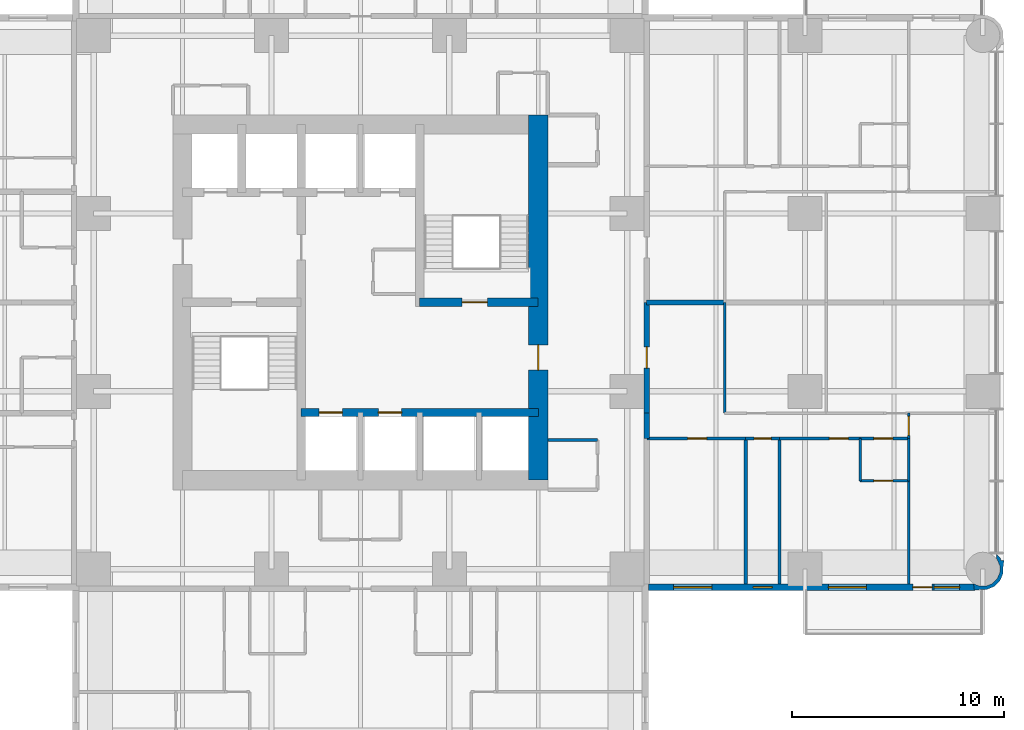
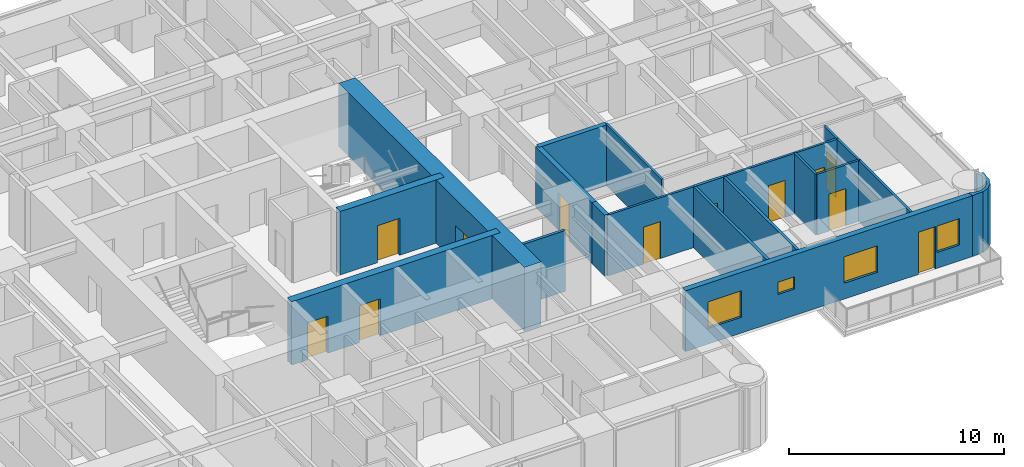
# One storey, part 9 of 14: 21 walls, 12 doors, 4 windows, 16 openings.
"""IFC4 building model written with IfcOpenShell, lengths in metres."""

from ifc_helpers import new_model, si_unit, direction, frame, frame_2d, origin, place, context, subcontext, project, spatial, polyline, rectangle, outline, extrude, material, layer, layer_set, type_object, element, fill, save


model = new_model("IFC4")

# Units and contexts
model_context = context("Model", 3, precision=1e-05, world=origin(), true_north=direction((0.0, 1.0)))
body_context = subcontext(model_context, "Body", "Model", "MODEL_VIEW")
ifc_project = project(units=[si_unit("LENGTHUNIT", "METRE"), si_unit("AREAUNIT", "SQUARE_METRE"), si_unit("VOLUMEUNIT", "CUBIC_METRE"), si_unit("PLANEANGLEUNIT", "RADIAN"), si_unit("MASSUNIT", "GRAM", prefix="KILO")], contexts=[model_context])

# Site, building, storey
site_placement = place(None, origin())
site = spatial("IfcSite", under=ifc_project, at=site_placement, CompositionType="ELEMENT")
building_placement = place(site_placement, origin())
building = spatial("IfcBuilding", under=site, at=building_placement, Name="Torre Alcanfor", CompositionType="ELEMENT")
storey_placement = place(building_placement, frame((0.0, 0.0, 137.699951171875)))
storey = spatial("IfcBuildingStorey", under=building, at=storey_placement, Name="L35", CompositionType="ELEMENT", Elevation=137.699951171875)

# Wall, opening, door
ifc_material_1 = material(Name="Concrete block masonry, hollow blocks NMX-C-404 9 MPa", Category="masonry")
ifc_layer_1 = layer(ifc_material_1, 0.25)
ifc_layer_set_1 = layer_set([ifc_layer_1], Name="Apartment entrance wall 250 EI 60")
wall_type_1 = type_object("IfcWallType", Name="Apartment entrance wall 250 EI 60", PredefinedType="PARTITIONING", material=ifc_layer_set_1)
wall_1_placement = place(storey_placement, frame((42.925048828125, 29.39990234375, 0.0), z_axis=(0.0, 0.0, 1.0), x_axis=(0.0, -1.0, 0.0)))
wall_1 = element("IfcWall", 1, at=wall_1_placement, inside=storey, type_object=wall_type_1, Name="Partition L35-CORR / L35-E2-ZAG", PredefinedType="PARTITIONING", context=body_context, shape_type="SweptSolid", body=[
    extrude(rectangle(XDim=5.22900390625, YDim=0.25, at=frame_2d((2.614501953125, 0.0))), origin(), (0.0, 0.0, 1.0), 3.449951171875),
])
opening_1_placement = place(wall_1_placement, frame((2.10009765625, 0.0, 0.0)))
opening_1 = element("IfcOpeningElement", 2, at=opening_1_placement, cuts=wall_1, Name="Opening D-A1", PredefinedType="OPENING", context=body_context, shape_type="SweptSolid", body=[
    extrude(rectangle(XDim=1.0, YDim=2.10009765625, at=frame_2d((0.5, 1.050048828125))), frame((0.0, 0.135009765625, 0.0), z_axis=(0.0, -1.0, 0.0), x_axis=(1.0, 0.0, 0.0)), (0.0, 0.0, 1.0), 0.27001953125),
])
ifc_material_2 = material(Name="Galvanised steel sheet ASTM A653", Category="steel")
door_type_1 = type_object("IfcDoorType", Name="Apartment entrance door FD60 1000x2100", OperationType="SINGLE_SWING_LEFT", PredefinedType="DOOR", material=ifc_material_2)
door_1_placement = place(opening_1_placement, origin())
door_1 = element("IfcDoor", 3, at=door_1_placement, inside=storey, type_object=door_type_1, Name="Apartment entrance L35-E2", OperationType="SINGLE_SWING_LEFT", OverallHeight=2.10009765625, OverallWidth=1.0, PredefinedType="DOOR", context=body_context, shape_type="SweptSolid", body=[
    extrude(rectangle(XDim=1.0, YDim=2.10009765625, at=frame_2d((0.5, 1.050048828125))), frame((0.0, 0.02490234375, 0.0), z_axis=(0.0, -1.0, 0.0), x_axis=(1.0, 0.0, 0.0)), (0.0, 0.0, 1.0), 0.050048828125),
])
fill(opening_1, door_1)

# Walls
wall_2_placement = place(storey_placement, frame((42.925048828125, 24.1708984375, 0.0), z_axis=(0.0, 0.0, 1.0), x_axis=(0.0, -1.0, 0.0)))
element("IfcWall", 4, at=wall_2_placement, inside=storey, type_object=wall_type_1, Name="Partition L35-CORR / L35-E2-HALL", PredefinedType="PARTITIONING", context=body_context, shape_type="SweptSolid", body=[
    extrude(rectangle(XDim=1.199951171875, YDim=0.25, at=frame_2d((0.60009765625, 0.0))), origin(), (0.0, 0.0, 1.0), 3.449951171875),
])
ifc_material_3 = material(Name="Gypsum board on steel studs", Category="steel")
ifc_layer_2 = layer(ifc_material_3, 0.1201171875)
ifc_layer_set_2 = layer_set([ifc_layer_2], Name="Apartment partition 120")
wall_type_2 = type_object("IfcWallType", Name="Apartment partition 120", PredefinedType="PARTITIONING", material=ifc_layer_set_2)
wall_3_placement = place(storey_placement, frame((46.60009765625, 29.39990234375, 0.0), z_axis=(0.0, 0.0, 1.0), x_axis=(0.0, -1.0, 0.0)))
element("IfcWall", 5, at=wall_3_placement, inside=storey, type_object=wall_type_2, Name="Partition L35-E2-ZAG / L35-E2-FAMILY", PredefinedType="PARTITIONING", context=body_context, shape_type="SweptSolid", body=[
    extrude(rectangle(XDim=5.22900390625, YDim=0.1201171875, at=frame_2d((2.614501953125, 0.0))), origin(), (0.0, 0.0, 1.0), 3.449951171875),
])

# Wall, opening, door
wall_4_placement = place(storey_placement, frame((47.60009765625, 22.970947265625, 0.0), z_axis=(0.0, 0.0, 1.0), x_axis=(-1.0, 0.0, 0.0)))
wall_4 = element("IfcWall", 6, at=wall_4_placement, inside=storey, type_object=wall_type_2, Name="Partition L35-E2-HALL / L35-E2-BED2", PredefinedType="PARTITIONING", context=body_context, shape_type="SweptSolid", body=[
    extrude(rectangle(XDim=4.675048828125, YDim=0.1201171875, at=frame_2d((2.33740234375, 0.0))), origin(), (0.0, 0.0, 1.0), 3.449951171875),
])
opening_2_placement = place(wall_4_placement, frame((1.85009765625, 0.0, 0.0)))
opening_2 = element("IfcOpeningElement", 7, at=opening_2_placement, cuts=wall_4, Name="Opening D-R1", PredefinedType="OPENING", context=body_context, shape_type="SweptSolid", body=[
    extrude(rectangle(XDim=0.89990234375, YDim=2.10009765625, at=frame_2d((0.449951171875, 1.050048828125))), frame((0.0, 0.070068359375, 0.0), z_axis=(0.0, -1.0, 0.0), x_axis=(1.0, 0.0, 0.0)), (0.0, 0.0, 1.0), 0.14013671875),
])
ifc_material_4 = material(Name="Timber", Category="wood")
door_type_2 = type_object("IfcDoorType", Name="Internal door 900x2100", OperationType="SINGLE_SWING_LEFT", PredefinedType="DOOR", material=ifc_material_4)
door_2_placement = place(opening_2_placement, origin())
door_2 = element("IfcDoor", 8, at=door_2_placement, inside=storey, type_object=door_type_2, Name="Door L35-E2 bed2", OperationType="SINGLE_SWING_LEFT", OverallHeight=2.10009765625, OverallWidth=0.89990234375, PredefinedType="DOOR", context=body_context, shape_type="SweptSolid", body=[
    extrude(rectangle(XDim=0.89990234375, YDim=2.10009765625, at=frame_2d((0.449951171875, 1.050048828125))), frame((0.0, 0.02490234375, 0.0), z_axis=(0.0, -1.0, 0.0), x_axis=(1.0, 0.0, 0.0)), (0.0, 0.0, 1.0), 0.050048828125),
])
fill(opening_2, door_2)

wall_5_placement = place(storey_placement, frame((53.0, 22.970947265625, 0.0), z_axis=(0.0, 0.0, 1.0), x_axis=(-1.0, 0.0, 0.0)))
wall_5 = element("IfcWall", 9, at=wall_5_placement, inside=storey, type_object=wall_type_2, Name="Partition L35-E2-HALL / L35-E2-MASTER", PredefinedType="PARTITIONING", context=body_context, shape_type="SweptSolid", body=[
    extrude(rectangle(XDim=3.800048828125, YDim=0.1201171875, at=frame_2d((1.89990234375, 0.0))), origin(), (0.0, 0.0, 1.0), 3.449951171875),
])
opening_3_placement = place(wall_5_placement, frame((0.550048828125, 0.0, 0.0)))
opening_3 = element("IfcOpeningElement", 10, at=opening_3_placement, cuts=wall_5, Name="Opening D-R1", PredefinedType="OPENING", context=body_context, shape_type="SweptSolid", body=[
    extrude(rectangle(XDim=0.89990234375, YDim=2.10009765625, at=frame_2d((0.449951171875, 1.050048828125))), frame((0.0, 0.070068359375, 0.0), z_axis=(0.0, -1.0, 0.0), x_axis=(1.0, 0.0, 0.0)), (0.0, 0.0, 1.0), 0.14013671875),
])
door_3_placement = place(opening_3_placement, origin())
door_3 = element("IfcDoor", 11, at=door_3_placement, inside=storey, type_object=door_type_2, Name="Door L35-E2 master", OperationType="SINGLE_SWING_LEFT", OverallHeight=2.10009765625, OverallWidth=0.89990234375, PredefinedType="DOOR", context=body_context, shape_type="SweptSolid", body=[
    extrude(rectangle(XDim=0.89990234375, YDim=2.10009765625, at=frame_2d((0.449951171875, 1.050048828125))), frame((0.0, 0.02490234375, 0.0), z_axis=(0.0, -1.0, 0.0), x_axis=(1.0, 0.0, 0.0)), (0.0, 0.0, 1.0), 0.050048828125),
])
fill(opening_3, door_3)

wall_6_placement = place(storey_placement, frame((55.300048828125, 22.970947265625, 0.0), z_axis=(0.0, 0.0, 1.0), x_axis=(-1.0, 0.0, 0.0)))
wall_6 = element("IfcWall", 12, at=wall_6_placement, inside=storey, type_object=wall_type_2, Name="Partition L35-E2-HALL / L35-E2-VEST", PredefinedType="PARTITIONING", context=body_context, shape_type="SweptSolid", body=[
    extrude(rectangle(XDim=2.300048828125, YDim=0.1201171875, at=frame_2d((1.14990234375, 0.0))), origin(), (0.0, 0.0, 1.0), 3.449951171875),
])
opening_4_placement = place(wall_6_placement, frame((0.75, 0.0, 0.0)))
opening_4 = element("IfcOpeningElement", 13, at=opening_4_placement, cuts=wall_6, Name="Opening D-R1", PredefinedType="OPENING", context=body_context, shape_type="SweptSolid", body=[
    extrude(rectangle(XDim=0.89990234375, YDim=2.10009765625, at=frame_2d((0.449951171875, 1.050048828125))), frame((0.0, 0.070068359375, 0.0), z_axis=(0.0, -1.0, 0.0), x_axis=(1.0, 0.0, 0.0)), (0.0, 0.0, 1.0), 0.14013671875),
])
door_4_placement = place(opening_4_placement, origin())
door_4 = element("IfcDoor", 14, at=door_4_placement, inside=storey, type_object=door_type_2, Name="Door L35-E2 vest", OperationType="SINGLE_SWING_RIGHT", OverallHeight=2.10009765625, OverallWidth=0.89990234375, PredefinedType="DOOR", context=body_context, shape_type="SweptSolid", body=[
    extrude(rectangle(XDim=0.89990234375, YDim=2.10009765625, at=frame_2d((0.449951171875, 1.050048828125))), frame((0.0, 0.02490234375, 0.0), z_axis=(0.0, -1.0, 0.0), x_axis=(1.0, 0.0, 0.0)), (0.0, 0.0, 1.0), 0.050048828125),
])
fill(opening_4, door_4)

wall_7_placement = place(storey_placement, frame((55.300048828125, 24.1708984375, 0.0), z_axis=(0.0, 0.0, 1.0), x_axis=(0.0, -1.0, 0.0)))
wall_7 = element("IfcWall", 15, at=wall_7_placement, inside=storey, type_object=wall_type_2, Name="Partition L35-E2-HALL / L35-E2-WGARD", PredefinedType="PARTITIONING", context=body_context, shape_type="SweptSolid", body=[
    extrude(rectangle(XDim=1.199951171875, YDim=0.1201171875, at=frame_2d((0.60009765625, 0.0))), origin(), (0.0, 0.0, 1.0), 3.449951171875),
])
opening_5_placement = place(wall_7_placement, frame((0.15087890625, 0.0, 0.0)))
opening_5 = element("IfcOpeningElement", 16, at=opening_5_placement, cuts=wall_7, Name="Opening D-R1", PredefinedType="OPENING", context=body_context, shape_type="SweptSolid", body=[
    extrude(rectangle(XDim=0.89990234375, YDim=2.10009765625, at=frame_2d((0.449951171875, 1.050048828125))), frame((0.0, 0.070068359375, 0.0), z_axis=(0.0, -1.0, 0.0), x_axis=(1.0, 0.0, 0.0)), (0.0, 0.0, 1.0), 0.14013671875),
])
door_5_placement = place(opening_5_placement, origin())
door_5 = element("IfcDoor", 17, at=door_5_placement, inside=storey, type_object=door_type_2, Name="Door L35-E2 wgard", OperationType="SINGLE_SWING_LEFT", OverallHeight=2.10009765625, OverallWidth=0.89990234375, PredefinedType="DOOR", context=body_context, shape_type="SweptSolid", body=[
    extrude(rectangle(XDim=0.89990234375, YDim=2.10009765625, at=frame_2d((0.449951171875, 1.050048828125))), frame((0.0, 0.02490234375, 0.0), z_axis=(0.0, -1.0, 0.0), x_axis=(1.0, 0.0, 0.0)), (0.0, 0.0, 1.0), 0.050048828125),
])
fill(opening_5, door_5)

# Wall
wall_8_placement = place(storey_placement, frame((53.0, 22.970947265625, 0.0), z_axis=(0.0, 0.0, 1.0), x_axis=(0.0, -1.0, 0.0)))
element("IfcWall", 18, at=wall_8_placement, inside=storey, type_object=wall_type_2, Name="Partition L35-E2-MASTER / L35-E2-VEST", PredefinedType="PARTITIONING", context=body_context, shape_type="SweptSolid", body=[
    extrude(rectangle(XDim=2.0, YDim=0.1201171875, at=frame_2d((1.0, 0.0))), origin(), (0.0, 0.0, 1.0), 3.449951171875),
])

# Wall, opening, door
wall_9_placement = place(storey_placement, frame((53.0, 20.970947265625, 0.0), z_axis=(0.0, 0.0, 1.0), x_axis=(1.0, 0.0, 0.0)))
wall_9 = element("IfcWall", 19, at=wall_9_placement, inside=storey, type_object=wall_type_2, Name="Partition L35-E2-MASTER / L35-E2-VEST", PredefinedType="PARTITIONING", context=body_context, shape_type="SweptSolid", body=[
    extrude(rectangle(XDim=2.300048828125, YDim=0.1201171875, at=frame_2d((1.14990234375, 0.0))), origin(), (0.0, 0.0, 1.0), 3.449951171875),
])
opening_6_placement = place(wall_9_placement, frame((0.64990234375, 0.0, 0.0)))
opening_6 = element("IfcOpeningElement", 20, at=opening_6_placement, cuts=wall_9, Name="Opening D-R1", PredefinedType="OPENING", context=body_context, shape_type="SweptSolid", body=[
    extrude(rectangle(XDim=0.89990234375, YDim=2.10009765625, at=frame_2d((0.449951171875, 1.050048828125))), frame((0.0, 0.070068359375, 0.0), z_axis=(0.0, -1.0, 0.0), x_axis=(1.0, 0.0, 0.0)), (0.0, 0.0, 1.0), 0.14013671875),
])
door_6_placement = place(opening_6_placement, origin())
door_6 = element("IfcDoor", 21, at=door_6_placement, inside=storey, type_object=door_type_2, Name="Door L35-E2 master", OperationType="SINGLE_SWING_LEFT", OverallHeight=2.10009765625, OverallWidth=0.89990234375, PredefinedType="DOOR", context=body_context, shape_type="SweptSolid", body=[
    extrude(rectangle(XDim=0.89990234375, YDim=2.10009765625, at=frame_2d((0.449951171875, 1.050048828125))), frame((0.0, 0.02490234375, 0.0), z_axis=(0.0, -1.0, 0.0), x_axis=(1.0, 0.0, 0.0)), (0.0, 0.0, 1.0), 0.050048828125),
])
fill(opening_6, door_6)

# Walls
wall_10_placement = place(storey_placement, frame((55.300048828125, 20.970947265625, 0.0), z_axis=(0.0, 0.0, 1.0), x_axis=(0.0, -1.0, 0.0)))
element("IfcWall", 22, at=wall_10_placement, inside=storey, type_object=wall_type_2, Name="Partition L35-E2-MASTER / L35-E2-WGARD", PredefinedType="PARTITIONING", context=body_context, shape_type="SweptSolid", body=[
    extrude(rectangle(XDim=4.870849609375, YDim=0.1201171875, at=frame_2d((2.435546875, 0.0))), origin(), (0.0, 0.0, 1.0), 3.449951171875),
])
wall_11_placement = place(storey_placement, frame((55.300048828125, 22.970947265625, 0.0), z_axis=(0.0, 0.0, 1.0), x_axis=(0.0, -1.0, 0.0)))
element("IfcWall", 23, at=wall_11_placement, inside=storey, type_object=wall_type_2, Name="Partition L35-E2-VEST / L35-E2-WGARD", PredefinedType="PARTITIONING", context=body_context, shape_type="SweptSolid", body=[
    extrude(rectangle(XDim=2.0, YDim=0.1201171875, at=frame_2d((1.0, 0.0))), origin(), (0.0, 0.0, 1.0), 3.449951171875),
])

# Wall, openings, doors
ifc_material_5 = material(Name="Concrete f'c 70 MPa", Category="concrete")
ifc_layer_3 = layer(ifc_material_5, 0.39990234375)
ifc_layer_set_3 = layer_set([ifc_layer_3], Name="Core inner wall 400 f'c70")
wall_type_3 = type_object("IfcWallType", Name="Core inner wall 400 f'c70", PredefinedType="SHEAR", material=ifc_layer_set_3)
wall_12_placement = place(storey_placement, frame((26.60009765625, 24.199951171875, 0.0), z_axis=(0.0, 0.0, 1.0), x_axis=(1.0, 0.0, 0.0)))
wall_12 = element("IfcWall", 24, at=wall_12_placement, inside=storey, type_object=wall_type_3, Name="Core wall Y242 L35", PredefinedType="SHEAR", context=body_context, shape_type="SweptSolid", body=[
    extrude(rectangle(XDim=11.199951171875, YDim=0.39990234375, at=frame_2d((5.60009765625, 0.0))), origin(), (0.0, 0.0, 1.0), 3.60009765625),
])
opening_7_placement = place(wall_12_placement, frame((0.85009765625, 0.0, 0.0)))
opening_7 = element("IfcOpeningElement", 25, at=opening_7_placement, cuts=wall_12, Name="Opening LD1", PredefinedType="OPENING", context=body_context, shape_type="SweptSolid", body=[
    extrude(rectangle(XDim=1.10009765625, YDim=2.10009765625, at=frame_2d((0.550048828125, 1.050048828125))), frame((0.0, 0.2099609375, 0.0), z_axis=(0.0, -1.0, 0.0), x_axis=(1.0, 0.0, 0.0)), (0.0, 0.0, 1.0), 0.419921875),
])
opening_8_placement = place(wall_12_placement, frame((3.64990234375, 0.0, 0.0)))
opening_8 = element("IfcOpeningElement", 26, at=opening_8_placement, cuts=wall_12, Name="Opening LD1", PredefinedType="OPENING", context=body_context, shape_type="SweptSolid", body=[
    extrude(rectangle(XDim=1.10009765625, YDim=2.10009765625, at=frame_2d((0.550048828125, 1.050048828125))), frame((0.0, 0.2099609375, 0.0), z_axis=(0.0, -1.0, 0.0), x_axis=(1.0, 0.0, 0.0)), (0.0, 0.0, 1.0), 0.419921875),
])
ifc_material_6 = material(Name="Galvanised steel sheet ASTM A653", Category="steel")
door_type_3 = type_object("IfcDoorType", Name="Lift landing door 1100x2100", OperationType="DOUBLE_DOOR_SLIDING", PredefinedType="DOOR", material=ifc_material_6)
door_7_placement = place(opening_7_placement, origin())
door_7 = element("IfcDoor", 27, at=door_7_placement, inside=storey, type_object=door_type_3, Name="Lift landing door PA1 L35", OperationType="DOUBLE_DOOR_SLIDING", OverallHeight=2.10009765625, OverallWidth=1.10009765625, PredefinedType="DOOR", context=body_context, shape_type="SweptSolid", body=[
    extrude(rectangle(XDim=1.10009765625, YDim=2.10009765625, at=frame_2d((0.550048828125, 1.050048828125))), frame((0.0, 0.02490234375, 0.0), z_axis=(0.0, -1.0, 0.0), x_axis=(1.0, 0.0, 0.0)), (0.0, 0.0, 1.0), 0.050048828125),
])
fill(opening_7, door_7)
door_8_placement = place(opening_8_placement, origin())
door_8 = element("IfcDoor", 28, at=door_8_placement, inside=storey, type_object=door_type_3, Name="Lift landing door PA2 L35", OperationType="DOUBLE_DOOR_SLIDING", OverallHeight=2.10009765625, OverallWidth=1.10009765625, PredefinedType="DOOR", context=body_context, shape_type="SweptSolid", body=[
    extrude(rectangle(XDim=1.10009765625, YDim=2.10009765625, at=frame_2d((0.550048828125, 1.050048828125))), frame((0.0, 0.02490234375, 0.0), z_axis=(0.0, -1.0, 0.0), x_axis=(1.0, 0.0, 0.0)), (0.0, 0.0, 1.0), 0.050048828125),
])
fill(opening_8, door_8)

# Wall, opening, door
wall_13_placement = place(storey_placement, frame((32.199951171875, 29.39990234375, 0.0), z_axis=(0.0, 0.0, 1.0), x_axis=(1.0, 0.0, 0.0)))
wall_13 = element("IfcWall", 29, at=wall_13_placement, inside=storey, type_object=wall_type_3, Name="Core wall Y294E L35", PredefinedType="SHEAR", context=body_context, shape_type="SweptSolid", body=[
    extrude(rectangle(XDim=5.60009765625, YDim=0.39990234375, at=frame_2d((2.800048828125, 0.0))), origin(), (0.0, 0.0, 1.0), 3.60009765625),
])
opening_9_placement = place(wall_13_placement, frame((2.0, 0.0, 0.0)))
opening_9 = element("IfcOpeningElement", 30, at=opening_9_placement, cuts=wall_13, Name="Opening D-S2", PredefinedType="OPENING", context=body_context, shape_type="SweptSolid", body=[
    extrude(rectangle(XDim=1.199951171875, YDim=2.10009765625, at=frame_2d((0.60009765625, 1.050048828125))), frame((0.0, 0.2099609375, 0.0), z_axis=(0.0, -1.0, 0.0), x_axis=(1.0, 0.0, 0.0)), (0.0, 0.0, 1.0), 0.419921875),
])
ifc_material_7 = material(Name="Galvanised steel sheet ASTM A653", Category="steel")
door_type_4 = type_object("IfcDoorType", Name="Stair enclosure door FD120 1200x2100", OperationType="SINGLE_SWING_LEFT", PredefinedType="DOOR", material=ifc_material_7)
door_9_placement = place(opening_9_placement, origin())
door_9 = element("IfcDoor", 31, at=door_9_placement, inside=storey, type_object=door_type_4, Name="Stair S2 door L35", OperationType="SINGLE_SWING_LEFT", OverallHeight=2.10009765625, OverallWidth=1.199951171875, PredefinedType="DOOR", context=body_context, shape_type="SweptSolid", body=[
    extrude(rectangle(XDim=1.199951171875, YDim=2.10009765625, at=frame_2d((0.60009765625, 1.050048828125))), frame((0.0, 0.02490234375, 0.0), z_axis=(0.0, -1.0, 0.0), x_axis=(1.0, 0.0, 0.0)), (0.0, 0.0, 1.0), 0.050048828125),
])
fill(opening_9, door_9)

ifc_material_8 = material(Name="Concrete f'c 70 MPa", Category="concrete")
ifc_layer_4 = layer(ifc_material_8, 0.89990234375)
ifc_layer_set_4 = layer_set([ifc_layer_4], Name="Core wall 900 f'c70")
wall_type_4 = type_object("IfcWallType", Name="Core wall 900 f'c70", PredefinedType="SHEAR", material=ifc_layer_set_4)
wall_14_placement = place(storey_placement, frame((37.800048828125, 21.0, 0.0), z_axis=(0.0, 0.0, 1.0), x_axis=(0.0, 1.0, 0.0)))
wall_14 = element("IfcWall", 32, at=wall_14_placement, inside=storey, type_object=wall_type_4, Name="Core wall OUT-E L35", PredefinedType="SHEAR", context=body_context, shape_type="SweptSolid", body=[
    extrude(rectangle(XDim=17.25, YDim=0.89990234375, at=frame_2d((8.625, 0.0))), origin(), (0.0, 0.0, 1.0), 3.60009765625),
])
opening_10_placement = place(wall_14_placement, frame((5.199951171875, 0.0, 0.0)))
opening_10 = element("IfcOpeningElement", 33, at=opening_10_placement, cuts=wall_14, Name="Opening D-L1", PredefinedType="OPENING", context=body_context, shape_type="SweptSolid", body=[
    extrude(rectangle(XDim=1.199951171875, YDim=2.10009765625, at=frame_2d((0.60009765625, 1.050048828125))), frame((0.0, 0.4599609375, 0.0), z_axis=(0.0, -1.0, 0.0), x_axis=(1.0, 0.0, 0.0)), (0.0, 0.0, 1.0), 0.919921875),
])
ifc_material_9 = material(Name="Galvanised steel sheet ASTM A653", Category="steel")
door_type_5 = type_object("IfcDoorType", Name="Lobby door FD120 1200x2100", OperationType="SINGLE_SWING_LEFT", PredefinedType="DOOR", material=ifc_material_9)
door_10_placement = place(opening_10_placement, origin())
door_10 = element("IfcDoor", 34, at=door_10_placement, inside=storey, type_object=door_type_5, Name="Lift lobby entrance door L35", OperationType="SINGLE_SWING_LEFT", OverallHeight=2.10009765625, OverallWidth=1.199951171875, PredefinedType="DOOR", context=body_context, shape_type="SweptSolid", body=[
    extrude(rectangle(XDim=1.199951171875, YDim=2.10009765625, at=frame_2d((0.60009765625, 1.050048828125))), frame((0.0, 0.02490234375, 0.0), z_axis=(0.0, -1.0, 0.0), x_axis=(1.0, 0.0, 0.0)), (0.0, 0.0, 1.0), 0.050048828125),
])
fill(opening_10, door_10)

# Wall, openings, door, windows
ifc_material_10 = material(Name="Limestone cladding", Category="masonry")
ifc_layer_5 = layer(ifc_material_10, 0.0400390625, Name="Facing")
ifc_material_11 = material(Name="Ventilated air cavity")
ifc_layer_6 = layer(ifc_material_11, 0.02001953125, ventilated=True, Name="Ventilated joint")
ifc_material_12 = material(Name="Mineral wool insulation", Category="insulation")
ifc_layer_7 = layer(ifc_material_12, 0.10009765625, Name="Insulation")
ifc_material_13 = material(Name="Concrete f'c 35 MPa", Category="concrete")
ifc_layer_8 = layer(ifc_material_13, 0.139892578125, Name="Backing")
ifc_layer_set_5 = layer_set([ifc_layer_5, ifc_layer_6, ifc_layer_7, ifc_layer_8], Name="External wall stone-clad 300")
wall_type_5 = type_object("IfcWallType", Name="External wall stone-clad 300", PredefinedType="SOLIDWALL", material=ifc_layer_set_5)
wall_15_placement = place(storey_placement, frame((43.0, 15.949951171875, 0.0), z_axis=(0.0, 0.0, 1.0), x_axis=(1.0, 0.0, 0.0)))
wall_15 = element("IfcWall", 35, at=wall_15_placement, inside=storey, type_object=wall_type_5, Name="External wall L35 7", PredefinedType="SOLIDWALL", context=body_context, shape_type="SweptSolid", body=[
    extrude(rectangle(XDim=15.39990234375, YDim=0.300048828125, at=frame_2d((7.699951171875, 0.0))), origin(), (0.0, 0.0, 1.0), 3.449951171875),
])
opening_11_placement = place(wall_15_placement, frame((1.199951171875, 0.0, 0.89990234375)))
opening_11 = element("IfcOpeningElement", 36, at=opening_11_placement, cuts=wall_15, Name="Opening W2", PredefinedType="OPENING", context=body_context, shape_type="SweptSolid", body=[
    extrude(rectangle(XDim=1.800048828125, YDim=1.5, at=frame_2d((0.89990234375, 0.75))), frame((0.0, 0.159912109375, 0.0), z_axis=(0.0, -1.0, 0.0), x_axis=(1.0, 0.0, 0.0)), (0.0, 0.0, 1.0), 0.320068359375),
])
opening_12_placement = place(wall_15_placement, frame((4.949951171875, 0.0, 1.5)))
opening_12 = element("IfcOpeningElement", 37, at=opening_12_placement, cuts=wall_15, Name="Opening W3", PredefinedType="OPENING", context=body_context, shape_type="SweptSolid", body=[
    extrude(rectangle(XDim=0.89990234375, YDim=0.699951171875, at=frame_2d((0.449951171875, 0.35009765625))), frame((0.0, 0.159912109375, 0.0), z_axis=(0.0, -1.0, 0.0), x_axis=(1.0, 0.0, 0.0)), (0.0, 0.0, 1.0), 0.320068359375),
])
opening_13_placement = place(wall_15_placement, frame((8.5, 0.0, 0.89990234375)))
opening_13 = element("IfcOpeningElement", 38, at=opening_13_placement, cuts=wall_15, Name="Opening W2", PredefinedType="OPENING", context=body_context, shape_type="SweptSolid", body=[
    extrude(rectangle(XDim=1.800048828125, YDim=1.5, at=frame_2d((0.89990234375, 0.75))), frame((0.0, 0.159912109375, 0.0), z_axis=(0.0, -1.0, 0.0), x_axis=(1.0, 0.0, 0.0)), (0.0, 0.0, 1.0), 0.320068359375),
])
opening_14_placement = place(wall_15_placement, frame((12.5, 0.0, 0.0)))
opening_14 = element("IfcOpeningElement", 39, at=opening_14_placement, cuts=wall_15, Name="Opening D-B1", PredefinedType="OPENING", context=body_context, shape_type="SweptSolid", body=[
    extrude(rectangle(XDim=0.89990234375, YDim=2.39990234375, at=frame_2d((0.449951171875, 1.199951171875))), frame((0.0, 0.159912109375, 0.0), z_axis=(0.0, -1.0, 0.0), x_axis=(1.0, 0.0, 0.0)), (0.0, 0.0, 1.0), 0.320068359375),
])
opening_15_placement = place(wall_15_placement, frame((13.5, 0.0, 0.89990234375)))
opening_15 = element("IfcOpeningElement", 40, at=opening_15_placement, cuts=wall_15, Name="Opening W4", PredefinedType="OPENING", context=body_context, shape_type="SweptSolid", body=[
    extrude(rectangle(XDim=1.199951171875, YDim=1.5, at=frame_2d((0.60009765625, 0.75))), frame((0.0, 0.159912109375, 0.0), z_axis=(0.0, -1.0, 0.0), x_axis=(1.0, 0.0, 0.0)), (0.0, 0.0, 1.0), 0.320068359375),
])
ifc_material_14 = material(Name="Aluminium and glass", Category="aluminium")
door_type_6 = type_object("IfcDoorType", Name="Balcony door glazed 900x2400", OperationType="SINGLE_SWING_LEFT", PredefinedType="DOOR", material=ifc_material_14)
door_11_placement = place(opening_14_placement, origin())
door_11 = element("IfcDoor", 41, at=door_11_placement, inside=storey, type_object=door_type_6, Name="Balcony door L35-E2", OperationType="SINGLE_SWING_LEFT", OverallHeight=2.39990234375, OverallWidth=0.89990234375, PredefinedType="DOOR", context=body_context, shape_type="SweptSolid", body=[
    extrude(rectangle(XDim=0.89990234375, YDim=2.39990234375, at=frame_2d((0.449951171875, 1.199951171875))), frame((0.0, 0.02490234375, 0.0), z_axis=(0.0, -1.0, 0.0), x_axis=(1.0, 0.0, 0.0)), (0.0, 0.0, 1.0), 0.050048828125),
])
fill(opening_14, door_11)
ifc_material_15 = material(Name="Aluminium frame with clear double glazing", Category="aluminium")
window_type_1 = type_object("IfcWindowType", Name="Window bathroom 900x700", PartitioningType="SINGLE_PANEL", PredefinedType="WINDOW", material=ifc_material_15)
window_1_placement = place(opening_12_placement, origin())
window_1 = element("IfcWindow", 42, at=window_1_placement, inside=storey, type_object=window_type_1, Name="Window W3 L35-E2", OverallHeight=0.699951171875, OverallWidth=0.89990234375, PartitioningType="SINGLE_PANEL", PredefinedType="WINDOW", context=body_context, shape_type="SweptSolid", body=[
    extrude(rectangle(XDim=0.89990234375, YDim=0.699951171875, at=frame_2d((0.449951171875, 0.35009765625))), frame((0.0, 0.030029296875, 0.0), z_axis=(0.0, -1.0, 0.0), x_axis=(1.0, 0.0, 0.0)), (0.0, 0.0, 1.0), 0.06005859375),
])
fill(opening_12, window_1)
ifc_material_16 = material(Name="Aluminium frame with clear double glazing", Category="aluminium")
window_type_2 = type_object("IfcWindowType", Name="Window bedroom 1200x1500", PartitioningType="SINGLE_PANEL", PredefinedType="WINDOW", material=ifc_material_16)
window_2_placement = place(opening_15_placement, origin())
window_2 = element("IfcWindow", 43, at=window_2_placement, inside=storey, type_object=window_type_2, Name="Window W4 L35-E2", OverallHeight=1.5, OverallWidth=1.199951171875, PartitioningType="SINGLE_PANEL", PredefinedType="WINDOW", context=body_context, shape_type="SweptSolid", body=[
    extrude(rectangle(XDim=1.199951171875, YDim=1.5, at=frame_2d((0.60009765625, 0.75))), frame((0.0, 0.030029296875, 0.0), z_axis=(0.0, -1.0, 0.0), x_axis=(1.0, 0.0, 0.0)), (0.0, 0.0, 1.0), 0.06005859375),
])
fill(opening_15, window_2)
ifc_material_17 = material(Name="Aluminium frame with clear double glazing", Category="aluminium")
window_type_3 = type_object("IfcWindowType", Name="Window bedroom 1800x1500", PartitioningType="SINGLE_PANEL", PredefinedType="WINDOW", material=ifc_material_17)
window_3_placement = place(opening_11_placement, origin())
window_3 = element("IfcWindow", 44, at=window_3_placement, inside=storey, type_object=window_type_3, Name="Window W2 L35-E2", OverallHeight=1.5, OverallWidth=1.800048828125, PartitioningType="SINGLE_PANEL", PredefinedType="WINDOW", context=body_context, shape_type="SweptSolid", body=[
    extrude(rectangle(XDim=1.800048828125, YDim=1.5, at=frame_2d((0.89990234375, 0.75))), frame((0.0, 0.030029296875, 0.0), z_axis=(0.0, -1.0, 0.0), x_axis=(1.0, 0.0, 0.0)), (0.0, 0.0, 1.0), 0.06005859375),
])
fill(opening_11, window_3)
window_4_placement = place(opening_13_placement, origin())
window_4 = element("IfcWindow", 45, at=window_4_placement, inside=storey, type_object=window_type_3, Name="Window W2 L35-E2", OverallHeight=1.5, OverallWidth=1.800048828125, PartitioningType="SINGLE_PANEL", PredefinedType="WINDOW", context=body_context, shape_type="SweptSolid", body=[
    extrude(rectangle(XDim=1.800048828125, YDim=1.5, at=frame_2d((0.89990234375, 0.75))), frame((0.0, 0.030029296875, 0.0), z_axis=(0.0, -1.0, 0.0), x_axis=(1.0, 0.0, 0.0)), (0.0, 0.0, 1.0), 0.06005859375),
])
fill(opening_13, window_4)

# Walls
ifc_material_18 = material(Name="Concrete block masonry, hollow blocks NMX-C-404 9 MPa", Category="masonry")
ifc_layer_9 = layer(ifc_material_18, 0.25)
ifc_layer_set_6 = layer_set([ifc_layer_9], Name="Party wall 250 EI 60")
wall_type_6 = type_object("IfcWallType", Name="Party wall 250 EI 60", PredefinedType="PARTITIONING", material=ifc_layer_set_6)
wall_16_placement = place(storey_placement, frame((42.925048828125, 29.39990234375, 0.0), z_axis=(0.0, 0.0, 1.0), x_axis=(1.0, 0.0, 0.0)))
element("IfcWall", 46, at=wall_16_placement, inside=storey, type_object=wall_type_6, Name="Partition L35-E1-ZAG / L35-E2-ZAG", PredefinedType="PARTITIONING", context=body_context, shape_type="SweptSolid", body=[
    extrude(rectangle(XDim=3.675048828125, YDim=0.25, at=frame_2d((1.83740234375, 0.0))), origin(), (0.0, 0.0, 1.0), 3.449951171875),
])
ifc_material_19 = material(Name="Concrete block masonry, hollow blocks NMX-C-404 9 MPa", Category="masonry")
ifc_layer_10 = layer(ifc_material_19, 0.14990234375)
ifc_layer_set_7 = layer_set([ifc_layer_10], Name="Residents' room partition 150")
wall_type_7 = type_object("IfcWallType", Name="Residents' room partition 150", PredefinedType="PARTITIONING", material=ifc_layer_set_7)
wall_17_placement = place(storey_placement, frame((40.60009765625, 22.89990234375, 0.0), z_axis=(0.0, 0.0, 1.0), x_axis=(-1.0, 0.0, 0.0)))
element("IfcWall", 47, at=wall_17_placement, inside=storey, type_object=wall_type_7, Name="Partition L35-CORR / L35-G03", PredefinedType="PARTITIONING", context=body_context, shape_type="SweptSolid", body=[
    extrude(rectangle(XDim=2.35009765625, YDim=0.14990234375, at=frame_2d((1.175048828125, 0.0))), origin(), (0.0, 0.0, 1.0), 3.449951171875),
])
ifc_layer_11 = layer(ifc_material_10, 0.0400390625, Name="Facing")
ifc_layer_12 = layer(ifc_material_11, 0.02001953125, ventilated=True, Name="Ventilated joint")
ifc_layer_13 = layer(ifc_material_12, 0.10009765625, Name="Insulation")
ifc_layer_14 = layer(ifc_material_13, 0.139892578125, Name="Backing")
ifc_layer_set_8 = layer_set([ifc_layer_11, ifc_layer_12, ifc_layer_13, ifc_layer_14], Name="Rounded corner pier stone-clad 300")
wall_type_8 = type_object("IfcWallType", Name="Rounded corner pier stone-clad 300", PredefinedType="SOLIDWALL", material=ifc_layer_set_8)
wall_18_placement = place(storey_placement, frame((58.473176205, 15.982940512, 0.0), z_axis=(0.0, 0.0, 1.0), x_axis=(0.93923434088, -0.343276641956, 0.0)))
element("IfcWall", 48, at=wall_18_placement, inside=storey, type_object=wall_type_8, Name="Corner pier L35 17", PredefinedType="SOLIDWALL", context=body_context, shape_type="SweptSolid", body=[
    extrude(outline(polyline([(0.8284730010654036, 1.5985425833407376), (0.696550254150438, 1.5690420941096577), (0.604150309609554, 1.6696580493968027), (0.3940514645210207, 1.7672868618913617), (0.47123842429676593, 1.5560967183488668), (0.5084988752141064, 1.538782517623304), (0.7242236800575332, 1.304144262222244), (0.8335928250166512, 1.004900899222292), (0.8200123708562836, 0.6864548699061994), (0.6857181921193565, 0.39745154052212156), (0.4509961289443815, 0.18195604093769838), (0.15175276594442946, 0.07258689597858048), (-0.11627514476265094, 0.08405951949541965), (-0.12738305855443924, 0.07818018621272643), (-0.1459567845337466, 0.07139175652560875), (-0.006038883692560254, -0.1969313551897346), (0.2657016888450987, -0.05498461418889633), (0.5353646734335612, 0.04357332793518234), (0.8165937238928549, 0.3018001061266741), (0.9775139424010254, 0.6481031205348973), (0.9937655592370759, 1.0296500763704852), (0.8951238093390822, 1.2995423662179517), (0.8284730010654036, 1.5985425833407376)])), origin(), (0.0, 0.0, 1.0), 3.449951171875),
])

# Wall, opening, door
ifc_material_20 = material(Name="Cement board on steel studs", Category="steel")
ifc_layer_15 = layer(ifc_material_20, 0.14990234375)
ifc_layer_set_9 = layer_set([ifc_layer_15], Name="Wet area partition 150")
wall_type_9 = type_object("IfcWallType", Name="Wet area partition 150", PredefinedType="PARTITIONING", material=ifc_layer_set_9)
wall_19_placement = place(storey_placement, frame((49.199951171875, 22.970947265625, 0.0), z_axis=(0.0, 0.0, 1.0), x_axis=(-1.0, 0.0, 0.0)))
wall_19 = element("IfcWall", 49, at=wall_19_placement, inside=storey, type_object=wall_type_9, Name="Partition L35-E2-HALL / L35-E2-BATH1", PredefinedType="PARTITIONING", context=body_context, shape_type="SweptSolid", body=[
    extrude(rectangle(XDim=1.599853515625, YDim=0.14990234375, at=frame_2d((0.7998046875, 0.0))), origin(), (0.0, 0.0, 1.0), 3.449951171875),
])
opening_16_placement = place(wall_19_placement, frame((0.39990234375, 0.0, 0.0)))
opening_16 = element("IfcOpeningElement", 50, at=opening_16_placement, cuts=wall_19, Name="Opening D-R2", PredefinedType="OPENING", context=body_context, shape_type="SweptSolid", body=[
    extrude(rectangle(XDim=0.800048828125, YDim=2.10009765625, at=frame_2d((0.39990234375, 1.050048828125))), frame((0.0, 0.0849609375, 0.0), z_axis=(0.0, -1.0, 0.0), x_axis=(1.0, 0.0, 0.0)), (0.0, 0.0, 1.0), 0.169921875),
])
ifc_material_21 = material(Name="Timber", Category="wood")
door_type_7 = type_object("IfcDoorType", Name="Bathroom door 800x2100", OperationType="SINGLE_SWING_LEFT", PredefinedType="DOOR", material=ifc_material_21)
door_12_placement = place(opening_16_placement, origin())
door_12 = element("IfcDoor", 51, at=door_12_placement, inside=storey, type_object=door_type_7, Name="Door L35-E2 bath1", OperationType="SINGLE_SWING_LEFT", OverallHeight=2.10009765625, OverallWidth=0.800048828125, PredefinedType="DOOR", context=body_context, shape_type="SweptSolid", body=[
    extrude(rectangle(XDim=0.800048828125, YDim=2.10009765625, at=frame_2d((0.39990234375, 1.050048828125))), frame((0.0, 0.02490234375, 0.0), z_axis=(0.0, -1.0, 0.0), x_axis=(1.0, 0.0, 0.0)), (0.0, 0.0, 1.0), 0.050048828125),
])
fill(opening_16, door_12)

# Walls
for number, where, z_axis, x_axis, name in (
    (52, (47.60009765625, 22.970947265625, 0.0), (0.0, 0.0, 1.0), (0.0, -1.0, 0.0), "Partition L35-E2-BED2 / L35-E2-BATH1"),
    (53, (49.199951171875, 22.970947265625, 0.0), (0.0, 0.0, 1.0), (0.0, -1.0, 0.0), "Partition L35-E2-BATH1 / L35-E2-MASTER"),
):
    element("IfcWall", number, at=place(storey_placement, frame(where, z_axis=z_axis, x_axis=x_axis)), inside=storey, type_object=wall_type_9, Name=name, PredefinedType="PARTITIONING", context=body_context, shape_type="SweptSolid", body=[
        extrude(rectangle(XDim=6.870849609375, YDim=0.14990234375, at=frame_2d((3.435546875, 0.0))), origin(), (0.0, 0.0, 1.0), 3.449951171875),
    ])

save(model, "model.ifc")
